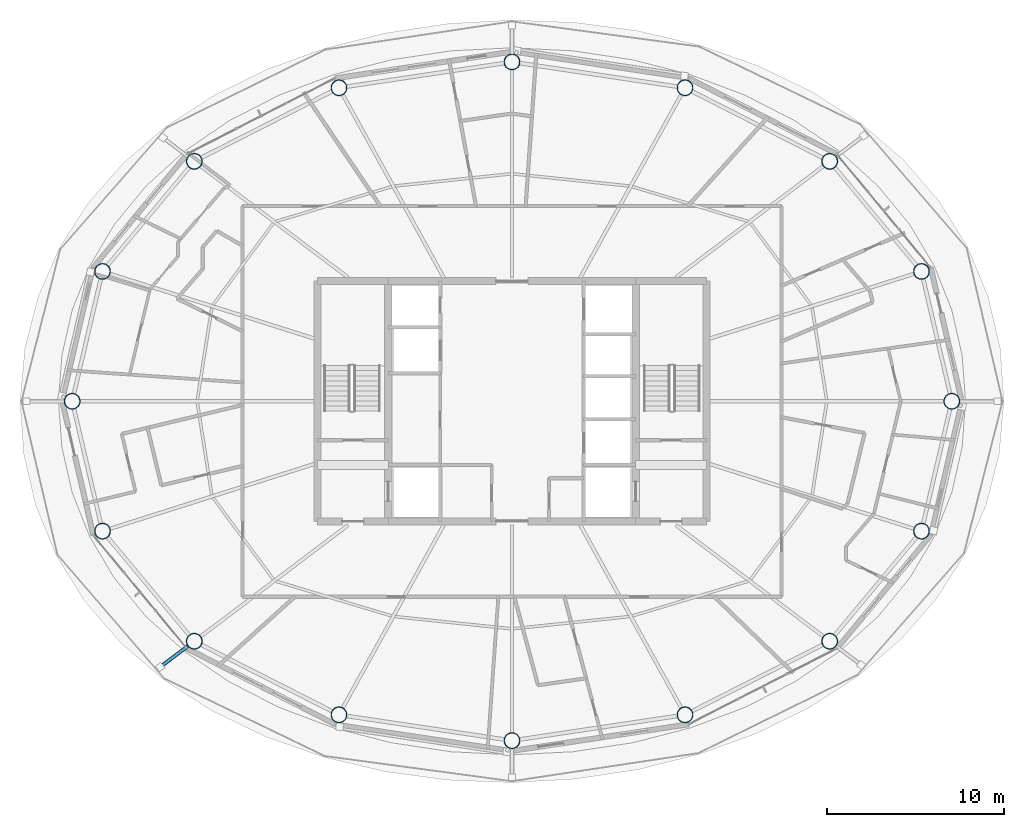
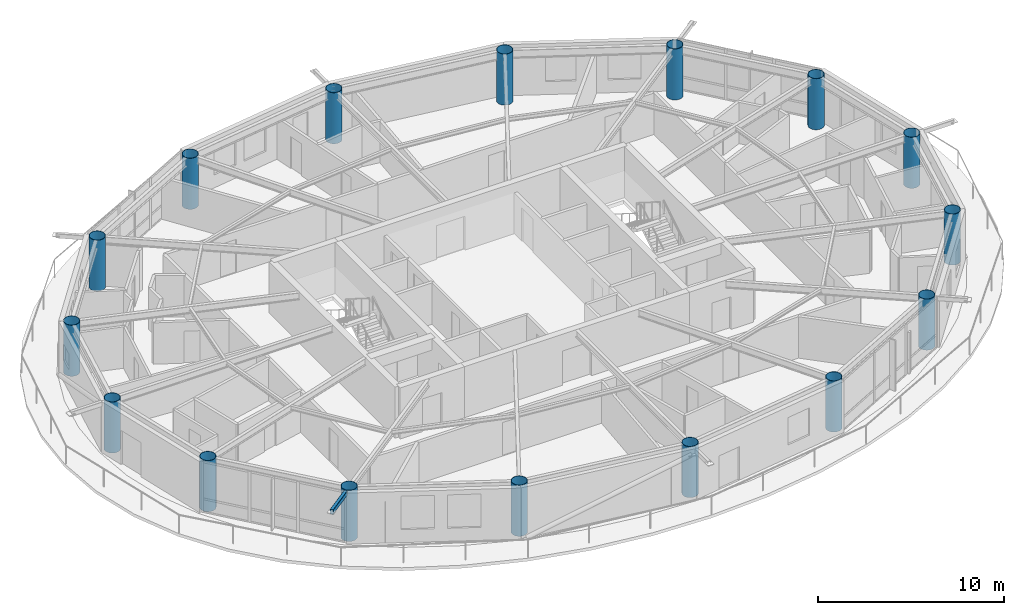
# One storey, part 1 of 22: 16 columns, 1 member.
"""IFC4 building model written with IfcOpenShell, lengths in metres."""

from ifc_helpers import new_model, si_unit, direction, frame, origin, origin_2d, place, context, subcontext, project, spatial, hollow_rectangle, hollow_circle, extrude, material, material_profile, profile_set, type_object, element, save


model = new_model("IFC4")

# Units and contexts
model_context = context("Model", 3, precision=1e-05, world=origin(), true_north=direction((0.0, 1.0)))
body_context = subcontext(model_context, "Body", "Model", "MODEL_VIEW")
ifc_project = project(units=[si_unit("LENGTHUNIT", "METRE"), si_unit("AREAUNIT", "SQUARE_METRE"), si_unit("VOLUMEUNIT", "CUBIC_METRE"), si_unit("PLANEANGLEUNIT", "RADIAN"), si_unit("MASSUNIT", "GRAM", prefix="KILO")], contexts=[model_context])

# Site, building, storey
site_placement = place(None, origin())
site = spatial("IfcSite", under=ifc_project, at=site_placement, CompositionType="ELEMENT")
building_placement = place(site_placement, origin())
building = spatial("IfcBuilding", under=site, at=building_placement, Name="Sarneth Arch Tower", CompositionType="ELEMENT")
storey_placement = place(building_placement, frame((0.0, 0.0, 213.60009765625)))
storey = spatial("IfcBuildingStorey", under=building, at=storey_placement, Name="L54", CompositionType="ELEMENT", Elevation=213.60009765625)

# Columns
ifc_material_1 = material(Name="Steel S355", Category="steel")
ifc_material_profile_1 = material_profile(ifc_material_1, hollow_circle(Radius=0.449951171875, WallThickness=0.02490234375, at=origin_2d()), Name="CHS900x25")
ifc_profile_set_1 = profile_set([ifc_material_profile_1], Name="Steel S355")
column_type = type_object("IfcColumnType", Name="COL-MEGA-900", PredefinedType="COLUMN", material=ifc_profile_set_1)
for number, where, z_axis, x_axis, name in (
    (1, (72.88330078125, 42.0, 0.0), (0.0, 0.0, 1.0), (1.0, 0.0, 0.0), "L54 Perimeter mega-column M01"),
    (2, (71.1689453125, 49.347412109375, 0.0), (0.0, 0.0, 1.0), (1.0, 0.0, 0.0), "L54 Perimeter mega-column M02"),
    (3, (65.975341796875, 55.576416015625, 0.0), (0.0, 0.0, 1.0), (1.0, 0.0, 0.0), "L54 Perimeter mega-column M03"),
    (4, (57.790771484375, 59.738525390625, 0.0), (0.0, 0.0, 1.0), (1.0, 0.0, 0.0), "L54 Perimeter mega-column M04"),
    (5, (48.0, 61.199951171875, 0.0), (0.0, 0.0, 1.0), (1.0, 0.0, 0.0), "L54 Perimeter mega-column M05"),
    (6, (38.209228515625, 59.738525390625, 0.0), (0.0, 0.0, 1.0), (1.0, 0.0, 0.0), "L54 Perimeter mega-column M06"),
    (7, (30.024658203125, 55.576416015625, 0.0), (0.0, 0.0, 1.0), (1.0, 0.0, 0.0), "L54 Perimeter mega-column M07"),
    (8, (24.8310546875, 49.347412109375, 0.0), (0.0, 0.0, 1.0), (1.0, 0.0, 0.0), "L54 Perimeter mega-column M08"),
    (9, (23.11669921875, 42.0, 0.0), (0.0, 0.0, 1.0), (1.0, 0.0, 0.0), "L54 Perimeter mega-column M09"),
    (10, (24.8310546875, 34.652587890625, 0.0), (0.0, 0.0, 1.0), (1.0, 0.0, 0.0), "L54 Perimeter mega-column M10"),
    (11, (30.024658203125, 28.423583984375, 0.0), (0.0, 0.0, 1.0), (1.0, 0.0, 0.0), "L54 Perimeter mega-column M11"),
    (12, (38.209228515625, 24.261474609375, 0.0), (0.0, 0.0, 1.0), (1.0, 0.0, 0.0), "L54 Perimeter mega-column M12"),
    (13, (48.0, 22.800048828125, 0.0), (0.0, 0.0, 1.0), (1.0, 0.0, 0.0), "L54 Perimeter mega-column M13"),
    (14, (57.790771484375, 24.261474609375, 0.0), (0.0, 0.0, 1.0), (1.0, 0.0, 0.0), "L54 Perimeter mega-column M14"),
    (15, (65.975341796875, 28.423583984375, 0.0), (0.0, 0.0, 1.0), (1.0, 0.0, 0.0), "L54 Perimeter mega-column M15"),
    (16, (71.1689453125, 34.652587890625, 0.0), (0.0, 0.0, 1.0), (1.0, 0.0, 0.0), "L54 Perimeter mega-column M16"),
):
    element("IfcColumn", number, at=place(storey_placement, frame(where, z_axis=z_axis, x_axis=x_axis)), inside=storey, type_object=column_type, Name=name, PredefinedType="COLUMN", context=body_context, shape_type="SweptSolid", body=[
        extrude(hollow_circle(Radius=0.449951171875, WallThickness=0.02490234375, at=origin_2d()), origin(), (0.0, 0.0, 1.0), 3.35986328125),
    ])

# Member
ifc_material_2 = material(Name="Steel S355", Category="steel")
ifc_material_profile_2 = material_profile(ifc_material_2, hollow_rectangle(XDim=0.199951171875, YDim=0.300048828125, WallThickness=0.012451171875, InnerFilletRadius=0.018798828125, OuterFilletRadius=0.03125, at=origin_2d()), Name="RHS300x200x12.5")
ifc_profile_set_2 = profile_set([ifc_material_profile_2], Name="Steel S355")
member_type = type_object("IfcMemberType", Name="MEM-CANT-STRUT", PredefinedType="STRUT", material=ifc_profile_set_2)
member_placement = place(storey_placement, frame((29.665771484375, 28.15234375, 3.199951171875), z_axis=(-0.797972004002, -0.602694517006, 0.0), x_axis=(0.602694517006, -0.797972004002, 0.0)))
element("IfcMember", 17, at=member_placement, inside=storey, type_object=member_type, Name="L54 Balcony cantilever bracket 11", PredefinedType="STRUT", context=body_context, shape_type="SweptSolid", body=[
    extrude(hollow_rectangle(XDim=0.199951171875, YDim=0.300048828125, WallThickness=0.012451171875, InnerFilletRadius=0.018798828125, OuterFilletRadius=0.03125, at=origin_2d()), origin(), (0.0, 0.0, 1.0), 1.968994140625),
])

save(model, "model.ifc")
